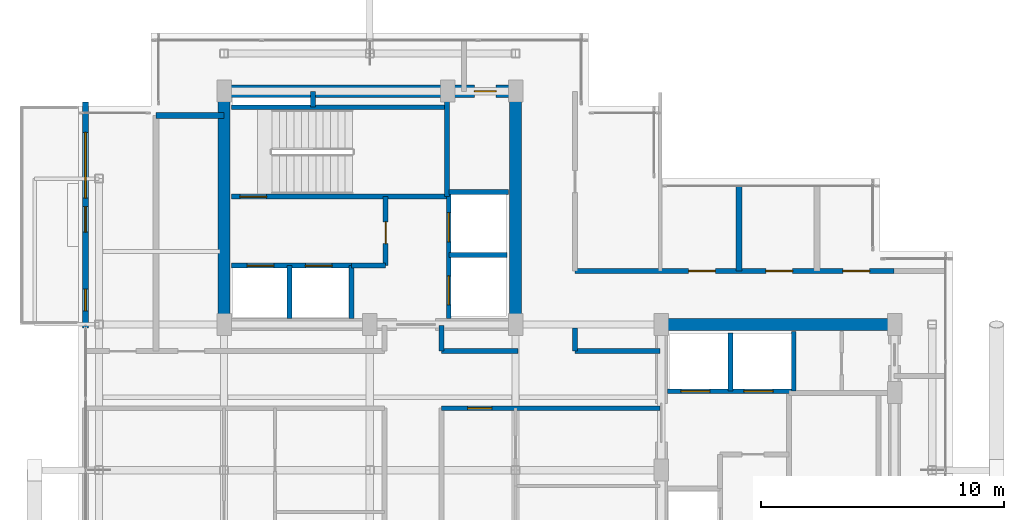
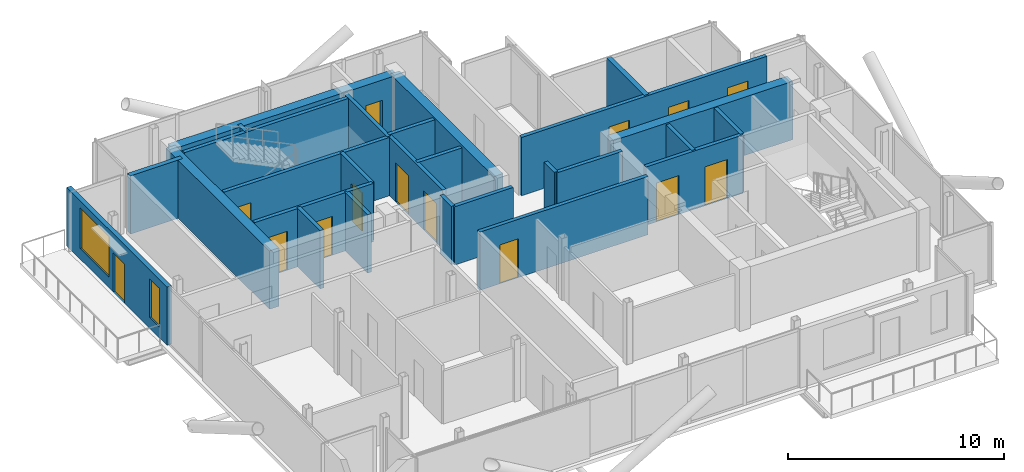
# One storey, part 15 of 18: 28 walls, 14 doors, 2 windows, 16 openings.
"""IFC4 building model written with IfcOpenShell, lengths in metres."""

from ifc_helpers import new_model, si_unit, direction, frame, frame_2d, origin, place, context, subcontext, project, spatial, rectangle, extrude, material, layer, layer_set, type_object, element, fill, save


model = new_model("IFC4")

# Units and contexts
model_context = context("Model", 3, precision=1e-05, world=origin(), true_north=direction((0.0, 1.0)))
body_context = subcontext(model_context, "Body", "Model", "MODEL_VIEW")
ifc_project = project(units=[si_unit("LENGTHUNIT", "METRE"), si_unit("AREAUNIT", "SQUARE_METRE"), si_unit("VOLUMEUNIT", "CUBIC_METRE"), si_unit("PLANEANGLEUNIT", "RADIAN"), si_unit("MASSUNIT", "GRAM", prefix="KILO"), si_unit("THERMODYNAMICTEMPERATUREUNIT", "KELVIN"), si_unit("POWERUNIT", "WATT")], contexts=[model_context])

# Site, building, storey
site_placement = place(None, origin())
site = spatial("IfcSite", under=ifc_project, at=site_placement, CompositionType="ELEMENT")
building_placement = place(site_placement, origin())
building = spatial("IfcBuilding", under=site, at=building_placement, Name="Svarakhadi Broadcast Tower", CompositionType="ELEMENT")
storey_placement = place(building_placement, frame((0.0, 0.0, 246.699951171875)))
storey = spatial("IfcBuildingStorey", under=building, at=storey_placement, Name="L61", CompositionType="ELEMENT", Elevation=246.699951171875)

# Walls
ifc_material_1 = material(Name="Double-Stud Acoustic Studio Partition STC-62", Category="gypsum")
ifc_layer_1 = layer(ifc_material_1, 0.199951171875)
ifc_layer_set_1 = layer_set([ifc_layer_1], Name="Double-Stud Acoustic Studio Partition STC-62")
wall_type_1 = type_object("IfcWallType", Name="Wall_Acoust_200", PredefinedType="PARTITIONING", material=ifc_layer_set_1)
wall_1_placement = place(storey_placement, frame((14.949951171875, 17.949951171875, 0.0), z_axis=(0.0, 0.0, 1.0), x_axis=(0.0, -1.0, 0.0)))
element("IfcWall", 1, at=wall_1_placement, inside=storey, type_object=wall_type_1, Name="L61 Upper Tower Concourse Wall", PredefinedType="PARTITIONING", context=body_context, shape_type="SweptSolid", body=[
    extrude(rectangle(XDim=1.050048828125, YDim=0.199951171875, at=frame_2d((0.52490234375, 0.0))), origin(), (0.0, 0.0, 1.0), 3.300048828125),
])
wall_2_placement = place(storey_placement, frame((14.949951171875, 16.89990234375, 0.0), z_axis=(0.0, 0.0, 1.0), x_axis=(1.0, 0.0, 0.0)))
element("IfcWall", 2, at=wall_2_placement, inside=storey, type_object=wall_type_1, Name="L61 Upper Tower Concourse Wall", PredefinedType="PARTITIONING", context=body_context, shape_type="SweptSolid", body=[
    extrude(rectangle(XDim=3.150146484375, YDim=0.199951171875, at=frame_2d((1.5751953125, 0.0))), origin(), (0.0, 0.0, 1.0), 3.300048828125),
])

# Wall, openings, doors
wall_3_placement = place(storey_placement, frame((20.449951171875, 20.199951171875, 0.0), z_axis=(0.0, 0.0, 1.0), x_axis=(1.0, 0.0, 0.0)))
wall_3 = element("IfcWall", 3, at=wall_3_placement, inside=storey, type_object=wall_type_1, Name="L61 Upper Tower Concourse Wall", PredefinedType="PARTITIONING", context=body_context, shape_type="SweptSolid", body=[
    extrude(rectangle(XDim=13.130126953125, YDim=0.199951171875, at=frame_2d((6.56494140625, 0.0))), origin(), (0.0, 0.0, 1.0), 3.300048828125),
])
opening_1_placement = place(wall_3_placement, frame((4.675048828125, 0.0, 0.0)))
opening_1 = element("IfcOpeningElement", 4, at=opening_1_placement, cuts=wall_3, Name="Opening D-11", PredefinedType="OPENING", context=body_context, shape_type="SweptSolid", body=[
    extrude(rectangle(XDim=1.10009765625, YDim=2.25, at=frame_2d((0.550048828125, 1.125))), frame((0.0, 0.10986328125, 0.0), z_axis=(0.0, -1.0, 0.0), x_axis=(1.0, 0.0, 0.0)), (0.0, 0.0, 1.0), 0.219970703125),
])
opening_2_placement = place(wall_3_placement, frame((7.85009765625, 0.0, 0.0)))
opening_2 = element("IfcOpeningElement", 5, at=opening_2_placement, cuts=wall_3, Name="Opening D-10", PredefinedType="OPENING", context=body_context, shape_type="SweptSolid", body=[
    extrude(rectangle(XDim=1.10009765625, YDim=2.25, at=frame_2d((0.550048828125, 1.125))), frame((0.0, 0.10986328125, 0.0), z_axis=(0.0, -1.0, 0.0), x_axis=(1.0, 0.0, 0.0)), (0.0, 0.0, 1.0), 0.219970703125),
])
opening_3_placement = place(wall_3_placement, frame((11.02490234375, 0.0, 0.0)))
opening_3 = element("IfcOpeningElement", 6, at=opening_3_placement, cuts=wall_3, Name="Opening D-11", PredefinedType="OPENING", context=body_context, shape_type="SweptSolid", body=[
    extrude(rectangle(XDim=1.10009765625, YDim=2.25, at=frame_2d((0.550048828125, 1.125))), frame((0.0, 0.10986328125, 0.0), z_axis=(0.0, -1.0, 0.0), x_axis=(1.0, 0.0, 0.0)), (0.0, 0.0, 1.0), 0.219970703125),
])
ifc_material_2 = material(Name="Solid-Core Teak Veneer Acoustic Timber Leaf", Category="wood")
door_type_1 = type_object("IfcDoorType", Name="Door_Acoust_D10", OperationType="SINGLE_SWING_LEFT", PredefinedType="DOOR", material=ifc_material_2)
door_1_placement = place(opening_2_placement, origin())
door_1 = element("IfcDoor", 7, at=door_1_placement, inside=storey, type_object=door_type_1, Name="L61 Private Sommelier Tasting Pantry Door", OperationType="SINGLE_SWING_LEFT", OverallHeight=2.25, OverallWidth=1.10009765625, PredefinedType="DOOR", context=body_context, shape_type="SweptSolid", body=[
    extrude(rectangle(XDim=1.10009765625, YDim=2.25, at=frame_2d((0.550048828125, 1.125))), frame((0.0, 0.02490234375, 0.0), z_axis=(0.0, -1.0, 0.0), x_axis=(1.0, 0.0, 0.0)), (0.0, 0.0, 1.0), 0.050048828125),
])
fill(opening_2, door_1)
door_type_2 = type_object("IfcDoorType", Name="Door_Acoust_D11", OperationType="SINGLE_SWING_RIGHT", PredefinedType="DOOR", material=ifc_material_2)
door_2_placement = place(opening_1_placement, origin())
door_2 = element("IfcDoor", 8, at=door_2_placement, inside=storey, type_object=door_type_2, Name="L61 Harbour Sky Club Reading Room Door", OperationType="SINGLE_SWING_RIGHT", OverallHeight=2.25, OverallWidth=1.10009765625, PredefinedType="DOOR", context=body_context, shape_type="SweptSolid", body=[
    extrude(rectangle(XDim=1.10009765625, YDim=2.25, at=frame_2d((0.550048828125, 1.125))), frame((0.0, 0.02490234375, 0.0), z_axis=(0.0, -1.0, 0.0), x_axis=(1.0, 0.0, 0.0)), (0.0, 0.0, 1.0), 0.050048828125),
])
fill(opening_1, door_2)
door_3_placement = place(opening_3_placement, origin())
door_3 = element("IfcDoor", 9, at=door_3_placement, inside=storey, type_object=door_type_2, Name="L61 VIP Guest Concierge Office Door", OperationType="SINGLE_SWING_RIGHT", OverallHeight=2.25, OverallWidth=1.10009765625, PredefinedType="DOOR", context=body_context, shape_type="SweptSolid", body=[
    extrude(rectangle(XDim=1.10009765625, YDim=2.25, at=frame_2d((0.550048828125, 1.125))), frame((0.0, 0.02490234375, 0.0), z_axis=(0.0, -1.0, 0.0), x_axis=(1.0, 0.0, 0.0)), (0.0, 0.0, 1.0), 0.050048828125),
])
fill(opening_3, door_3)

# Walls
wall_4_placement = place(storey_placement, frame((20.449951171875, 17.85009765625, 0.0), z_axis=(0.0, 0.0, 1.0), x_axis=(0.0, -1.0, 0.0)))
element("IfcWall", 10, at=wall_4_placement, inside=storey, type_object=wall_type_1, Name="L61 Upper Tower Concourse Wall", PredefinedType="PARTITIONING", context=body_context, shape_type="SweptSolid", body=[
    extrude(rectangle(XDim=0.9501953125, YDim=0.199951171875, at=frame_2d((0.47509765625, 0.0))), origin(), (0.0, 0.0, 1.0), 3.300048828125),
])
wall_5_placement = place(storey_placement, frame((20.449951171875, 16.89990234375, 0.0), z_axis=(0.0, 0.0, 1.0), x_axis=(1.0, 0.0, 0.0)))
element("IfcWall", 11, at=wall_5_placement, inside=storey, type_object=wall_type_1, Name="L61 Upper Tower Concourse Wall", PredefinedType="PARTITIONING", context=body_context, shape_type="SweptSolid", body=[
    extrude(rectangle(XDim=3.5, YDim=0.199951171875, at=frame_2d((1.75, 0.0))), origin(), (0.0, 0.0, 1.0), 3.300048828125),
])

# Wall, opening, door
wall_6_placement = place(storey_placement, frame((23.949951171875, 14.550048828125, 0.0), z_axis=(0.0, 0.0, 1.0), x_axis=(-1.0, 0.0, 0.0)))
wall_6 = element("IfcWall", 12, at=wall_6_placement, inside=storey, type_object=wall_type_1, Name="L61 Upper Tower Concourse Wall", PredefinedType="PARTITIONING", context=body_context, shape_type="SweptSolid", body=[
    extrude(rectangle(XDim=9.0, YDim=0.199951171875, at=frame_2d((4.5, 0.0))), origin(), (0.0, 0.0, 1.0), 3.300048828125),
])
opening_4_placement = place(wall_6_placement, frame((6.925048828125, 0.0, 0.0)))
opening_4 = element("IfcOpeningElement", 13, at=opening_4_placement, cuts=wall_6, Name="Opening D-08", PredefinedType="OPENING", context=body_context, shape_type="SweptSolid", body=[
    extrude(rectangle(XDim=1.0, YDim=2.199951171875, at=frame_2d((0.5, 1.10009765625))), frame((0.0, 0.10986328125, 0.0), z_axis=(0.0, -1.0, 0.0), x_axis=(1.0, 0.0, 0.0)), (0.0, 0.0, 1.0), 0.219970703125),
])
door_type_3 = type_object("IfcDoorType", Name="Door_Suite_D08", OperationType="SINGLE_SWING_LEFT", PredefinedType="DOOR", material=ifc_material_2)
door_4_placement = place(opening_4_placement, origin())
door_4 = element("IfcDoor", 14, at=door_4_placement, inside=storey, type_object=door_type_3, Name="L61 Studio B Entrance Door", OperationType="SINGLE_SWING_LEFT", OverallHeight=2.199951171875, OverallWidth=1.0, PredefinedType="DOOR", context=body_context, shape_type="SweptSolid", body=[
    extrude(rectangle(XDim=1.0, YDim=2.199951171875, at=frame_2d((0.5, 1.10009765625))), frame((0.0, 0.02490234375, 0.0), z_axis=(0.0, -1.0, 0.0), x_axis=(1.0, 0.0, 0.0)), (0.0, 0.0, 1.0), 0.050048828125),
])
fill(opening_4, door_4)

# Walls
ifc_layer_2 = layer(ifc_material_1, 0.25)
ifc_layer_set_2 = layer_set([ifc_layer_2], Name="Double-Stud Acoustic Studio Partition STC-62")
wall_type_2 = type_object("IfcWallType", Name="Wall_Acoust_250", PredefinedType="PARTITIONING", material=ifc_layer_set_2)
wall_7_placement = place(storey_placement, frame((27.199951171875, 20.199951171875, 0.0), z_axis=(0.0, 0.0, 1.0), x_axis=(0.0, 1.0, 0.0)))
element("IfcWall", 15, at=wall_7_placement, inside=storey, type_object=wall_type_2, Name="L61 Harbour Sky Club Reading Room Wall", PredefinedType="PARTITIONING", context=body_context, shape_type="SweptSolid", body=[
    extrude(rectangle(XDim=3.5, YDim=0.25, at=frame_2d((1.75, 0.0))), origin(), (0.0, 0.0, 1.0), 3.300048828125),
])
wall_8_placement = place(storey_placement, frame((3.199951171875, 26.60009765625, 0.0), z_axis=(0.0, 0.0, 1.0), x_axis=(1.0, 0.0, 0.0)))
element("IfcWall", 16, at=wall_8_placement, inside=storey, type_object=wall_type_2, Name="L61 Residents Study Office Wall", PredefinedType="PARTITIONING", context=body_context, shape_type="SweptSolid", body=[
    extrude(rectangle(XDim=2.800048828125, YDim=0.25, at=frame_2d((1.39990234375, 0.0))), origin(), (0.0, 0.0, 1.0), 3.300048828125),
])

# Wall, openings, door, windows
ifc_material_3 = material(Name="Concrete C40/50 (IS 456 M50)", Category="concrete")
ifc_layer_3 = layer(ifc_material_3, 0.239990234375)
ifc_layer_set_3 = layer_set([ifc_layer_3], Name="Concrete C40/50 (IS 456 M50)")
wall_type_3 = type_object("IfcWallType", Name="Wall_Ext_240", PredefinedType="SOLIDWALL", material=ifc_layer_set_3)
wall_9_placement = place(storey_placement, frame((0.300048828125, 17.85498046875, 0.0), z_axis=(0.0, 0.0, 1.0), x_axis=(0.0, 1.0, 0.0)))
wall_9 = element("IfcWall", 17, at=wall_9_placement, inside=storey, type_object=wall_type_3, Name="L61 West Tree Balcony Spandrel Wall", PredefinedType="SOLIDWALL", context=body_context, shape_type="SweptSolid", body=[
    extrude(rectangle(XDim=9.2900390625, YDim=0.239990234375, at=frame_2d((4.64501953125, 0.0))), origin(), (0.0, 0.0, 1.0), 3.300048828125),
])
opening_5_placement = place(wall_9_placement, frame((3.945068359375, 0.0, 0.0)))
opening_5 = element("IfcOpeningElement", 18, at=opening_5_placement, cuts=wall_9, Name="Opening ED-06", PredefinedType="OPENING", context=body_context, shape_type="SweptSolid", body=[
    extrude(rectangle(XDim=1.050048828125, YDim=2.199951171875, at=frame_2d((0.52490234375, 1.10009765625))), frame((0.0, 0.1298828125, 0.0), z_axis=(0.0, -1.0, 0.0), x_axis=(1.0, 0.0, 0.0)), (0.0, 0.0, 1.0), 0.260009765625),
])
opening_6_placement = place(wall_9_placement, frame((5.344970703125, 0.0, 0.60009765625)))
opening_6 = element("IfcOpeningElement", 19, at=opening_6_placement, cuts=wall_9, Name="Opening WN-07", PredefinedType="OPENING", context=body_context, shape_type="SweptSolid", body=[
    extrude(rectangle(XDim=2.699951171875, YDim=2.300048828125, at=frame_2d((1.35009765625, 1.14990234375))), frame((0.0, 0.1298828125, 0.0), z_axis=(0.0, -1.0, 0.0), x_axis=(1.0, 0.0, 0.0)), (0.0, 0.0, 1.0), 0.260009765625),
])
opening_7_placement = place(wall_9_placement, frame((0.699951171875, 0.0, 0.60009765625)))
opening_7 = element("IfcOpeningElement", 20, at=opening_7_placement, cuts=wall_9, Name="Opening WN-04", PredefinedType="OPENING", context=body_context, shape_type="SweptSolid", body=[
    extrude(rectangle(XDim=0.89990234375, YDim=2.199951171875, at=frame_2d((0.449951171875, 1.10009765625))), frame((0.0, 0.1298828125, 0.0), z_axis=(0.0, -1.0, 0.0), x_axis=(1.0, 0.0, 0.0)), (0.0, 0.0, 1.0), 0.260009765625),
])
ifc_material_4 = material(Name="Anodised Bronze Aluminium AA 6063-T6", Category="aluminium")
door_type_4 = type_object("IfcDoorType", Name="Door_Ext_ED06", OperationType="SINGLE_SWING_RIGHT", PredefinedType="DOOR", material=ifc_material_4)
door_5_placement = place(opening_5_placement, origin())
door_5 = element("IfcDoor", 21, at=door_5_placement, inside=storey, type_object=door_type_4, Name="L61 West Tree Balcony Door", OperationType="SINGLE_SWING_RIGHT", OverallHeight=2.199951171875, OverallWidth=1.050048828125, PredefinedType="DOOR", context=body_context, shape_type="SweptSolid", body=[
    extrude(rectangle(XDim=1.050048828125, YDim=2.199951171875, at=frame_2d((0.52490234375, 1.10009765625))), frame((0.0, 0.02490234375, 0.0), z_axis=(0.0, -1.0, 0.0), x_axis=(1.0, 0.0, 0.0)), (0.0, 0.0, 1.0), 0.050048828125),
])
fill(opening_5, door_5)
ifc_material_5 = material(Name="Double Low-E Laminated Acoustic Glass IGU 36 mm", Category="glass")
window_type_1 = type_object("IfcWindowType", Name="Win_Resi_WN07", PartitioningType="SINGLE_PANEL", PredefinedType="WINDOW", material=ifc_material_5)
window_1_placement = place(opening_6_placement, origin())
window_1 = element("IfcWindow", 22, at=window_1_placement, inside=storey, type_object=window_type_1, Name="L61 West Tree Balcony Window", OverallHeight=2.300048828125, OverallWidth=2.699951171875, PartitioningType="SINGLE_PANEL", PredefinedType="WINDOW", context=body_context, shape_type="SweptSolid", body=[
    extrude(rectangle(XDim=2.699951171875, YDim=2.300048828125, at=frame_2d((1.35009765625, 1.14990234375))), frame((0.0, 0.030029296875, 0.0), z_axis=(0.0, -1.0, 0.0), x_axis=(1.0, 0.0, 0.0)), (0.0, 0.0, 1.0), 0.06005859375),
])
fill(opening_6, window_1)
window_type_2 = type_object("IfcWindowType", Name="Win_Slot_WN04", PartitioningType="SINGLE_PANEL", PredefinedType="WINDOW", material=ifc_material_5)
window_2_placement = place(opening_7_placement, origin())
window_2 = element("IfcWindow", 23, at=window_2_placement, inside=storey, type_object=window_type_2, Name="L61 West Secondary Bedroom Slot Window", OverallHeight=2.199951171875, OverallWidth=0.89990234375, PartitioningType="SINGLE_PANEL", PredefinedType="WINDOW", context=body_context, shape_type="SweptSolid", body=[
    extrude(rectangle(XDim=0.89990234375, YDim=2.199951171875, at=frame_2d((0.449951171875, 1.10009765625))), frame((0.0, 0.030029296875, 0.0), z_axis=(0.0, -1.0, 0.0), x_axis=(1.0, 0.0, 0.0)), (0.0, 0.0, 1.0), 0.06005859375),
])
fill(opening_7, window_2)

# Wall
ifc_layer_4 = layer(ifc_material_3, 0.199951171875)
ifc_layer_set_4 = layer_set([ifc_layer_4], Name="Concrete C40/50 (IS 456 M50)")
wall_type_4 = type_object("IfcWallType", Name="Wall_Fire_200", PredefinedType="SOLIDWALL", material=ifc_layer_set_4)
wall_10_placement = place(storey_placement, frame((9.659912109375, 26.93994140625, 0.0), z_axis=(0.0, 0.0, 1.0), x_axis=(0.0, 1.0, 0.0)))
element("IfcWall", 24, at=wall_10_placement, inside=storey, type_object=wall_type_4, Name="L61 Wet Riser Shaft East Wall", PredefinedType="SOLIDWALL", context=body_context, shape_type="SweptSolid", body=[
    extrude(rectangle(XDim=0.64013671875, YDim=0.199951171875, at=frame_2d((0.320068359375, 0.0))), origin(), (0.0, 0.0, 1.0), 3.300048828125),
])

# Wall, opening, door
ifc_material_6 = material(Name="Concrete C50/60 (IS 456 M60)", Category="concrete")
ifc_layer_5 = layer(ifc_material_6, 0.199951171875)
ifc_layer_set_5 = layer_set([ifc_layer_5], Name="Concrete C50/60 (IS 456 M60)")
wall_type_5 = type_object("IfcWallType", Name="Wall_Shear_200", PredefinedType="SHEAR", material=ifc_layer_set_5)
wall_11_placement = place(storey_placement, frame((6.300048828125, 23.260009765625, 0.0), z_axis=(0.0, 0.0, 1.0), x_axis=(1.0, 0.0, 0.0)))
wall_11 = element("IfcWall", 25, at=wall_11_placement, inside=storey, type_object=wall_type_5, Name="L61 Stair ST-01 South RC Shaft Wall", PredefinedType="SHEAR", context=body_context, shape_type="SweptSolid", body=[
    extrude(rectangle(XDim=8.8798828125, YDim=0.199951171875, at=frame_2d((4.43994140625, 0.0))), origin(), (0.0, 0.0, 1.0), 3.300048828125),
])
opening_8_placement = place(wall_11_placement, frame((0.35009765625, 0.0, 0.0)))
opening_8 = element("IfcOpeningElement", 26, at=opening_8_placement, cuts=wall_11, Name="Opening D-01", PredefinedType="OPENING", context=body_context, shape_type="SweptSolid", body=[
    extrude(rectangle(XDim=1.10009765625, YDim=2.199951171875, at=frame_2d((0.550048828125, 1.10009765625))), frame((0.0, 0.10986328125, 0.0), z_axis=(0.0, -1.0, 0.0), x_axis=(1.0, 0.0, 0.0)), (0.0, 0.0, 1.0), 0.219970703125),
])
ifc_material_7 = material(Name="Galvanised Powder-Coated Fire-Rated Steel Leaf", Category="steel")
door_type_5 = type_object("IfcDoorType", Name="Door_Stair_D01", OperationType="SINGLE_SWING_LEFT", PredefinedType="DOOR", material=ifc_material_7)
door_6_placement = place(opening_8_placement, origin())
door_6 = element("IfcDoor", 27, at=door_6_placement, inside=storey, type_object=door_type_5, Name="L61 Protected Exit Stair ST-01 Fire Door", OperationType="SINGLE_SWING_LEFT", OverallHeight=2.199951171875, OverallWidth=1.10009765625, PredefinedType="DOOR", context=body_context, shape_type="SweptSolid", body=[
    extrude(rectangle(XDim=1.10009765625, YDim=2.199951171875, at=frame_2d((0.550048828125, 1.10009765625))), frame((0.0, 0.02490234375, 0.0), z_axis=(0.0, -1.0, 0.0), x_axis=(1.0, 0.0, 0.0)), (0.0, 0.0, 1.0), 0.050048828125),
])
fill(opening_8, door_6)

# Walls
wall_12_placement = place(storey_placement, frame((6.300048828125, 26.93994140625, 0.0), z_axis=(0.0, 0.0, 1.0), x_axis=(1.0, 0.0, 0.0)))
element("IfcWall", 28, at=wall_12_placement, inside=storey, type_object=wall_type_5, Name="L61 Stair ST-01 North RC Shaft Wall", PredefinedType="SHEAR", context=body_context, shape_type="SweptSolid", body=[
    extrude(rectangle(XDim=8.8798828125, YDim=0.199951171875, at=frame_2d((4.43994140625, 0.0))), origin(), (0.0, 0.0, 1.0), 3.300048828125),
])
wall_13_placement = place(storey_placement, frame((15.179931640625, 23.260009765625, 0.0), z_axis=(0.0, 0.0, 1.0), x_axis=(0.0, 1.0, 0.0)))
element("IfcWall", 29, at=wall_13_placement, inside=storey, type_object=wall_type_5, Name="L61 Stair ST-01 East RC Shaft Wall", PredefinedType="SHEAR", context=body_context, shape_type="SweptSolid", body=[
    extrude(rectangle(XDim=4.0400390625, YDim=0.199951171875, at=frame_2d((2.02001953125, 0.0))), origin(), (0.0, 0.0, 1.0), 3.300048828125),
])

# Wall, openings, doors
wall_14_placement = place(storey_placement, frame((6.300048828125, 20.419921875, 0.0), z_axis=(0.0, 0.0, 1.0), x_axis=(1.0, 0.0, 0.0)))
wall_14 = element("IfcWall", 30, at=wall_14_placement, inside=storey, type_object=wall_type_5, Name="L61 Firefighting Lift LF-01/02 Shaft Wall", PredefinedType="SHEAR", context=body_context, shape_type="SweptSolid", body=[
    extrude(rectangle(XDim=4.949951171875, YDim=0.199951171875, at=frame_2d((2.47509765625, 0.0))), origin(), (0.0, 0.0, 1.0), 3.300048828125),
])
opening_9_placement = place(wall_14_placement, frame((0.64990234375, 0.0, 0.0)))
opening_9 = element("IfcOpeningElement", 31, at=opening_9_placement, cuts=wall_14, Name="Opening LD-01", PredefinedType="OPENING", context=body_context, shape_type="SweptSolid", body=[
    extrude(rectangle(XDim=1.10009765625, YDim=2.199951171875, at=frame_2d((0.550048828125, 1.10009765625))), frame((0.0, 0.10986328125, 0.0), z_axis=(0.0, -1.0, 0.0), x_axis=(1.0, 0.0, 0.0)), (0.0, 0.0, 1.0), 0.219970703125),
])
opening_10_placement = place(wall_14_placement, frame((3.050048828125, 0.0, 0.0)))
opening_10 = element("IfcOpeningElement", 32, at=opening_10_placement, cuts=wall_14, Name="Opening LD-01", PredefinedType="OPENING", context=body_context, shape_type="SweptSolid", body=[
    extrude(rectangle(XDim=1.10009765625, YDim=2.199951171875, at=frame_2d((0.550048828125, 1.10009765625))), frame((0.0, 0.10986328125, 0.0), z_axis=(0.0, -1.0, 0.0), x_axis=(1.0, 0.0, 0.0)), (0.0, 0.0, 1.0), 0.219970703125),
])
door_type_6 = type_object("IfcDoorType", Name="Door_Lift_LD01", OperationType="SLIDING_TO_LEFT", PredefinedType="DOOR", material=ifc_material_7)
door_7_placement = place(opening_9_placement, origin())
door_7 = element("IfcDoor", 33, at=door_7_placement, inside=storey, type_object=door_type_6, Name="L61 Firefighting Lift LF-01 Landing Door", OperationType="SLIDING_TO_LEFT", OverallHeight=2.199951171875, OverallWidth=1.10009765625, PredefinedType="DOOR", context=body_context, shape_type="SweptSolid", body=[
    extrude(rectangle(XDim=1.10009765625, YDim=2.199951171875, at=frame_2d((0.550048828125, 1.10009765625))), frame((0.0, 0.02490234375, 0.0), z_axis=(0.0, -1.0, 0.0), x_axis=(1.0, 0.0, 0.0)), (0.0, 0.0, 1.0), 0.050048828125),
])
fill(opening_9, door_7)
door_8_placement = place(opening_10_placement, origin())
door_8 = element("IfcDoor", 34, at=door_8_placement, inside=storey, type_object=door_type_6, Name="L61 Firefighting Lift LF-02 Landing Door", OperationType="SLIDING_TO_LEFT", OverallHeight=2.199951171875, OverallWidth=1.10009765625, PredefinedType="DOOR", context=body_context, shape_type="SweptSolid", body=[
    extrude(rectangle(XDim=1.10009765625, YDim=2.199951171875, at=frame_2d((0.550048828125, 1.10009765625))), frame((0.0, 0.02490234375, 0.0), z_axis=(0.0, -1.0, 0.0), x_axis=(1.0, 0.0, 0.0)), (0.0, 0.0, 1.0), 0.050048828125),
])
fill(opening_10, door_8)

# Walls
for number, where, z_axis, x_axis, name in (
    (35, (8.699951171875, 18.25, 0.0), (0.0, 0.0, 1.0), (0.0, 1.0, 0.0), "L61 Firefighting Lift LF-01/02 Divider Wall"),
    (36, (11.25, 18.25, 0.0), (0.0, 0.0, 1.0), (0.0, 1.0, 0.0), "L61 Firefighting Lift LF-02 East Wall"),
):
    element("IfcWall", number, at=place(storey_placement, frame(where, z_axis=z_axis, x_axis=x_axis)), inside=storey, type_object=wall_type_5, Name=name, PredefinedType="SHEAR", context=body_context, shape_type="SweptSolid", body=[
        extrude(rectangle(XDim=2.169921875, YDim=0.199951171875, at=frame_2d((1.0849609375, 0.0))), origin(), (0.0, 0.0, 1.0), 3.300048828125),
    ])
wall_15_placement = place(storey_placement, frame((11.25, 20.419921875, 0.0), z_axis=(0.0, 0.0, 1.0), x_axis=(1.0, 0.0, 0.0)))
element("IfcWall", 37, at=wall_15_placement, inside=storey, type_object=wall_type_5, Name="L61 West Firefighting Lobby South Wall", PredefinedType="SHEAR", context=body_context, shape_type="SweptSolid", body=[
    extrude(rectangle(XDim=1.39990234375, YDim=0.199951171875, at=frame_2d((0.699951171875, 0.0))), origin(), (0.0, 0.0, 1.0), 3.300048828125),
])

# Wall, opening, door
wall_16_placement = place(storey_placement, frame((12.64990234375, 20.419921875, 0.0), z_axis=(0.0, 0.0, 1.0), x_axis=(0.0, 1.0, 0.0)))
wall_16 = element("IfcWall", 38, at=wall_16_placement, inside=storey, type_object=wall_type_5, Name="L61 West Firefighting Lobby East Wall", PredefinedType="SHEAR", context=body_context, shape_type="SweptSolid", body=[
    extrude(rectangle(XDim=2.840087890625, YDim=0.199951171875, at=frame_2d((1.419921875, 0.0))), origin(), (0.0, 0.0, 1.0), 3.300048828125),
])
opening_11_placement = place(wall_16_placement, frame((0.89990234375, 0.0, 0.0)))
opening_11 = element("IfcOpeningElement", 39, at=opening_11_placement, cuts=wall_16, Name="Opening D-03", PredefinedType="OPENING", context=body_context, shape_type="SweptSolid", body=[
    extrude(rectangle(XDim=0.89990234375, YDim=2.14990234375, at=frame_2d((0.449951171875, 1.074951171875))), frame((0.0, 0.10986328125, 0.0), z_axis=(0.0, -1.0, 0.0), x_axis=(1.0, 0.0, 0.0)), (0.0, 0.0, 1.0), 0.219970703125),
])
door_type_7 = type_object("IfcDoorType", Name="Door_Fire_D03", OperationType="SINGLE_SWING_LEFT", PredefinedType="DOOR", material=ifc_material_7)
door_9_placement = place(opening_11_placement, origin())
door_9 = element("IfcDoor", 40, at=door_9_placement, inside=storey, type_object=door_type_7, Name="L61 West Firefighting Lobby Fire Door", OperationType="SINGLE_SWING_LEFT", OverallHeight=2.14990234375, OverallWidth=0.89990234375, PredefinedType="DOOR", context=body_context, shape_type="SweptSolid", body=[
    extrude(rectangle(XDim=0.89990234375, YDim=2.14990234375, at=frame_2d((0.449951171875, 1.074951171875))), frame((0.0, 0.02490234375, 0.0), z_axis=(0.0, -1.0, 0.0), x_axis=(1.0, 0.0, 0.0)), (0.0, 0.0, 1.0), 0.050048828125),
])
fill(opening_11, door_9)

# Wall, openings, doors
wall_17_placement = place(storey_placement, frame((15.25, 18.25, 0.0), z_axis=(0.0, 0.0, 1.0), x_axis=(0.0, 1.0, 0.0)))
wall_17 = element("IfcWall", 41, at=wall_17_placement, inside=storey, type_object=wall_type_5, Name="L61 High-Rise Lift LF-13/14 West Shaft Wall", PredefinedType="SHEAR", context=body_context, shape_type="SweptSolid", body=[
    extrude(rectangle(XDim=5.199951171875, YDim=0.199951171875, at=frame_2d((2.60009765625, 0.0))), origin(), (0.0, 0.0, 1.0), 3.300048828125),
])
opening_12_placement = place(wall_17_placement, frame((0.550048828125, 0.0, 0.0)))
opening_12 = element("IfcOpeningElement", 42, at=opening_12_placement, cuts=wall_17, Name="Opening LD-02", PredefinedType="OPENING", context=body_context, shape_type="SweptSolid", body=[
    extrude(rectangle(XDim=1.199951171875, YDim=2.199951171875, at=frame_2d((0.60009765625, 1.10009765625))), frame((0.0, 0.10986328125, 0.0), z_axis=(0.0, -1.0, 0.0), x_axis=(1.0, 0.0, 0.0)), (0.0, 0.0, 1.0), 0.219970703125),
])
opening_13_placement = place(wall_17_placement, frame((3.14990234375, 0.0, 0.0)))
opening_13 = element("IfcOpeningElement", 43, at=opening_13_placement, cuts=wall_17, Name="Opening LD-02", PredefinedType="OPENING", context=body_context, shape_type="SweptSolid", body=[
    extrude(rectangle(XDim=1.199951171875, YDim=2.199951171875, at=frame_2d((0.60009765625, 1.10009765625))), frame((0.0, 0.10986328125, 0.0), z_axis=(0.0, -1.0, 0.0), x_axis=(1.0, 0.0, 0.0)), (0.0, 0.0, 1.0), 0.219970703125),
])
door_type_8 = type_object("IfcDoorType", Name="Door_Lift_LD02", OperationType="SLIDING_TO_RIGHT", PredefinedType="DOOR", material=ifc_material_7)
door_10_placement = place(opening_12_placement, origin())
door_10 = element("IfcDoor", 44, at=door_10_placement, inside=storey, type_object=door_type_8, Name="L61 High-Rise Lift LF-13 Landing Door", OperationType="SLIDING_TO_RIGHT", OverallHeight=2.199951171875, OverallWidth=1.199951171875, PredefinedType="DOOR", context=body_context, shape_type="SweptSolid", body=[
    extrude(rectangle(XDim=1.199951171875, YDim=2.199951171875, at=frame_2d((0.60009765625, 1.10009765625))), frame((0.0, 0.02490234375, 0.0), z_axis=(0.0, -1.0, 0.0), x_axis=(1.0, 0.0, 0.0)), (0.0, 0.0, 1.0), 0.050048828125),
])
fill(opening_12, door_10)
door_11_placement = place(opening_13_placement, origin())
door_11 = element("IfcDoor", 45, at=door_11_placement, inside=storey, type_object=door_type_8, Name="L61 High-Rise Lift LF-14 Landing Door", OperationType="SLIDING_TO_RIGHT", OverallHeight=2.199951171875, OverallWidth=1.199951171875, PredefinedType="DOOR", context=body_context, shape_type="SweptSolid", body=[
    extrude(rectangle(XDim=1.199951171875, YDim=2.199951171875, at=frame_2d((0.60009765625, 1.10009765625))), frame((0.0, 0.02490234375, 0.0), z_axis=(0.0, -1.0, 0.0), x_axis=(1.0, 0.0, 0.0)), (0.0, 0.0, 1.0), 0.050048828125),
])
fill(opening_13, door_11)

# Walls
wall_18_placement = place(storey_placement, frame((15.25, 20.85009765625, 0.0), z_axis=(0.0, 0.0, 1.0), x_axis=(1.0, 0.0, 0.0)))
element("IfcWall", 46, at=wall_18_placement, inside=storey, type_object=wall_type_5, Name="L61 High-Rise Lift LF-13/14 Divider", PredefinedType="SHEAR", context=body_context, shape_type="SweptSolid", body=[
    extrude(rectangle(XDim=2.39990234375, YDim=0.199951171875, at=frame_2d((1.199951171875, 0.0))), origin(), (0.0, 0.0, 1.0), 3.300048828125),
])
wall_19_placement = place(storey_placement, frame((15.25, 23.449951171875, 0.0), z_axis=(0.0, 0.0, 1.0), x_axis=(1.0, 0.0, 0.0)))
element("IfcWall", 47, at=wall_19_placement, inside=storey, type_object=wall_type_5, Name="L61 High-Rise Lift LF-13/14 North Wall", PredefinedType="SHEAR", context=body_context, shape_type="SweptSolid", body=[
    extrude(rectangle(XDim=2.449951171875, YDim=0.199951171875, at=frame_2d((1.22509765625, 0.0))), origin(), (0.0, 0.0, 1.0), 3.300048828125),
])

# Wall, openings, doors
wall_20_placement = place(storey_placement, frame((24.25, 15.25, 0.0), z_axis=(0.0, 0.0, 1.0), x_axis=(1.0, 0.0, 0.0)))
wall_20 = element("IfcWall", 48, at=wall_20_placement, inside=storey, type_object=wall_type_5, Name="L61 High-Rise Lift LF-15/16 South Shaft Wall", PredefinedType="SHEAR", context=body_context, shape_type="SweptSolid", body=[
    extrude(rectangle(XDim=5.199951171875, YDim=0.199951171875, at=frame_2d((2.60009765625, 0.0))), origin(), (0.0, 0.0, 1.0), 3.300048828125),
])
opening_14_placement = place(wall_20_placement, frame((0.550048828125, 0.0, 0.0)))
opening_14 = element("IfcOpeningElement", 49, at=opening_14_placement, cuts=wall_20, Name="Opening LD-02", PredefinedType="OPENING", context=body_context, shape_type="SweptSolid", body=[
    extrude(rectangle(XDim=1.199951171875, YDim=2.199951171875, at=frame_2d((0.60009765625, 1.10009765625))), frame((0.0, 0.10986328125, 0.0), z_axis=(0.0, -1.0, 0.0), x_axis=(1.0, 0.0, 0.0)), (0.0, 0.0, 1.0), 0.219970703125),
])
opening_15_placement = place(wall_20_placement, frame((3.14990234375, 0.0, 0.0)))
opening_15 = element("IfcOpeningElement", 50, at=opening_15_placement, cuts=wall_20, Name="Opening LD-02", PredefinedType="OPENING", context=body_context, shape_type="SweptSolid", body=[
    extrude(rectangle(XDim=1.199951171875, YDim=2.199951171875, at=frame_2d((0.60009765625, 1.10009765625))), frame((0.0, 0.10986328125, 0.0), z_axis=(0.0, -1.0, 0.0), x_axis=(1.0, 0.0, 0.0)), (0.0, 0.0, 1.0), 0.219970703125),
])
door_12_placement = place(opening_14_placement, origin())
door_12 = element("IfcDoor", 51, at=door_12_placement, inside=storey, type_object=door_type_8, Name="L61 High-Rise Lift LF-15 Landing Door", OperationType="SLIDING_TO_RIGHT", OverallHeight=2.199951171875, OverallWidth=1.199951171875, PredefinedType="DOOR", context=body_context, shape_type="SweptSolid", body=[
    extrude(rectangle(XDim=1.199951171875, YDim=2.199951171875, at=frame_2d((0.60009765625, 1.10009765625))), frame((0.0, 0.02490234375, 0.0), z_axis=(0.0, -1.0, 0.0), x_axis=(1.0, 0.0, 0.0)), (0.0, 0.0, 1.0), 0.050048828125),
])
fill(opening_14, door_12)
door_13_placement = place(opening_15_placement, origin())
door_13 = element("IfcDoor", 52, at=door_13_placement, inside=storey, type_object=door_type_8, Name="L61 High-Rise Lift LF-16 Landing Door", OperationType="SLIDING_TO_RIGHT", OverallHeight=2.199951171875, OverallWidth=1.199951171875, PredefinedType="DOOR", context=body_context, shape_type="SweptSolid", body=[
    extrude(rectangle(XDim=1.199951171875, YDim=2.199951171875, at=frame_2d((0.60009765625, 1.10009765625))), frame((0.0, 0.02490234375, 0.0), z_axis=(0.0, -1.0, 0.0), x_axis=(1.0, 0.0, 0.0)), (0.0, 0.0, 1.0), 0.050048828125),
])
fill(opening_15, door_13)

# Walls
wall_21_placement = place(storey_placement, frame((26.85009765625, 15.25, 0.0), z_axis=(0.0, 0.0, 1.0), x_axis=(0.0, 1.0, 0.0)))
element("IfcWall", 53, at=wall_21_placement, inside=storey, type_object=wall_type_5, Name="L61 High-Rise Lift LF-15/16 Divider", PredefinedType="SHEAR", context=body_context, shape_type="SweptSolid", body=[
    extrude(rectangle(XDim=2.39990234375, YDim=0.199951171875, at=frame_2d((1.199951171875, 0.0))), origin(), (0.0, 0.0, 1.0), 3.300048828125),
])
wall_22_placement = place(storey_placement, frame((29.449951171875, 15.25, 0.0), z_axis=(0.0, 0.0, 1.0), x_axis=(0.0, 1.0, 0.0)))
element("IfcWall", 54, at=wall_22_placement, inside=storey, type_object=wall_type_5, Name="L61 High-Rise Lift LF-15/16 East Wall", PredefinedType="SHEAR", context=body_context, shape_type="SweptSolid", body=[
    extrude(rectangle(XDim=2.449951171875, YDim=0.199951171875, at=frame_2d((1.22509765625, 0.0))), origin(), (0.0, 0.0, 1.0), 3.300048828125),
])

# Wall, opening, door
ifc_layer_6 = layer(ifc_material_6, 0.5)
ifc_layer_set_6 = layer_set([ifc_layer_6], Name="Concrete C50/60 (IS 456 M60)")
wall_type_6 = type_object("IfcWallType", Name="Wall_Shear_500", PredefinedType="SHEAR", material=ifc_layer_set_6)
wall_23_placement = place(storey_placement, frame((6.0, 27.60009765625, 0.0), z_axis=(0.0, 0.0, 1.0), x_axis=(1.0, 0.0, 0.0)))
wall_23 = element("IfcWall", 55, at=wall_23_placement, inside=storey, type_object=wall_type_6, Name="L61 West Core North Shear Wall", PredefinedType="SHEAR", context=body_context, shape_type="SweptSolid", body=[
    extrude(rectangle(XDim=12.0, YDim=0.5, at=frame_2d((6.0, 0.0))), origin(), (0.0, 0.0, 1.0), 3.300048828125),
])
opening_16_placement = place(wall_23_placement, frame((10.300048828125, 0.0, 0.0)))
opening_16 = element("IfcOpeningElement", 56, at=opening_16_placement, cuts=wall_23, Name="Opening D-03", PredefinedType="OPENING", context=body_context, shape_type="SweptSolid", body=[
    extrude(rectangle(XDim=0.89990234375, YDim=2.14990234375, at=frame_2d((0.449951171875, 1.074951171875))), frame((0.0, 0.260009765625, 0.0), z_axis=(0.0, -1.0, 0.0), x_axis=(1.0, 0.0, 0.0)), (0.0, 0.0, 1.0), 0.52001953125),
])
door_14_placement = place(opening_16_placement, origin())
door_14 = element("IfcDoor", 57, at=door_14_placement, inside=storey, type_object=door_type_7, Name="L61 Core Meter Cupboard Door", OperationType="SINGLE_SWING_LEFT", OverallHeight=2.14990234375, OverallWidth=0.89990234375, PredefinedType="DOOR", context=body_context, shape_type="SweptSolid", body=[
    extrude(rectangle(XDim=0.89990234375, YDim=2.14990234375, at=frame_2d((0.449951171875, 1.074951171875))), frame((0.0, 0.02490234375, 0.0), z_axis=(0.0, -1.0, 0.0), x_axis=(1.0, 0.0, 0.0)), (0.0, 0.0, 1.0), 0.050048828125),
])
fill(opening_16, door_14)

# Walls
for number, where, z_axis, x_axis, name in (
    (58, (6.0, 18.0, 0.0), (0.0, 0.0, 1.0), (0.0, 1.0, 0.0), "L61 West Core West Shear Wall"),
    (59, (18.0, 18.0, 0.0), (0.0, 0.0, 1.0), (0.0, 1.0, 0.0), "L61 West Core East Shear Wall"),
    (60, (24.0, 18.0, 0.0), (0.0, 0.0, 1.0), (1.0, 0.0, 0.0), "L61 East Core North Shear Wall"),
):
    element("IfcWall", number, at=place(storey_placement, frame(where, z_axis=z_axis, x_axis=x_axis)), inside=storey, type_object=wall_type_6, Name=name, PredefinedType="SHEAR", context=body_context, shape_type="SweptSolid", body=[
        extrude(rectangle(XDim=9.60009765625, YDim=0.5, at=frame_2d((4.800048828125, 0.0))), origin(), (0.0, 0.0, 1.0), 3.300048828125),
    ])

save(model, "model.ifc")
